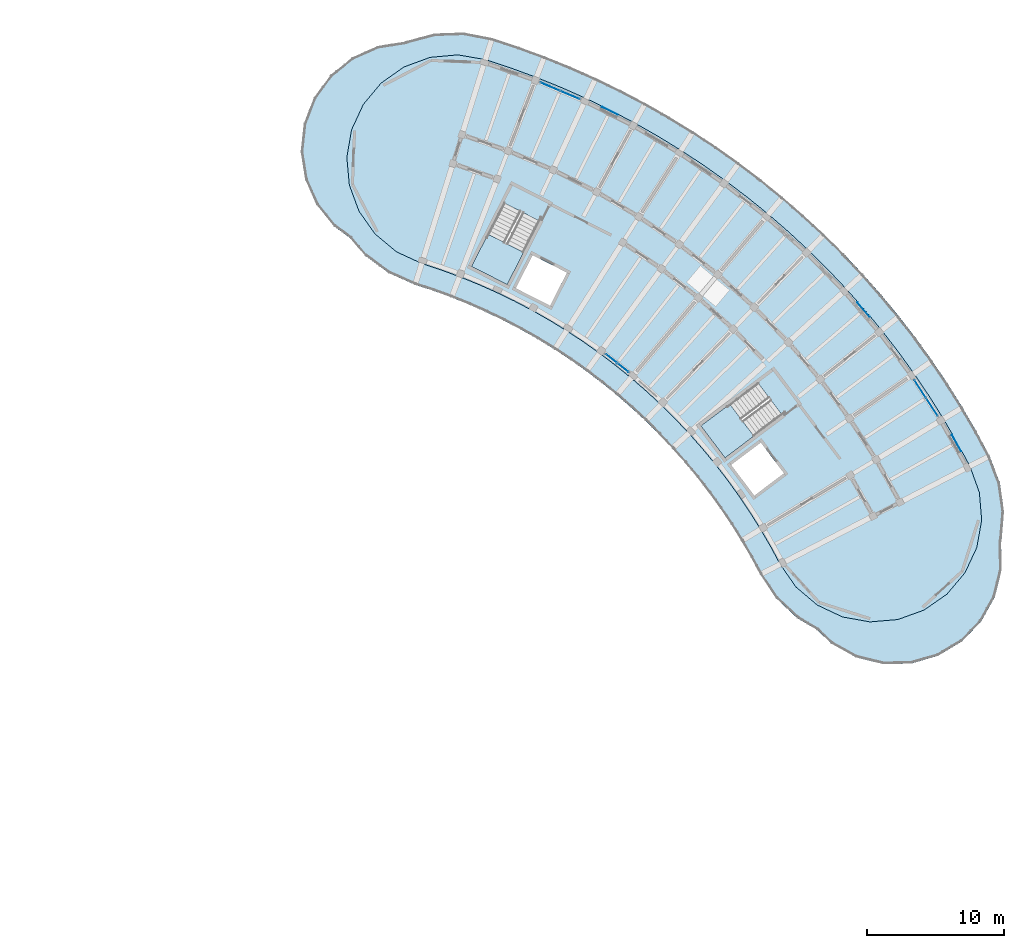
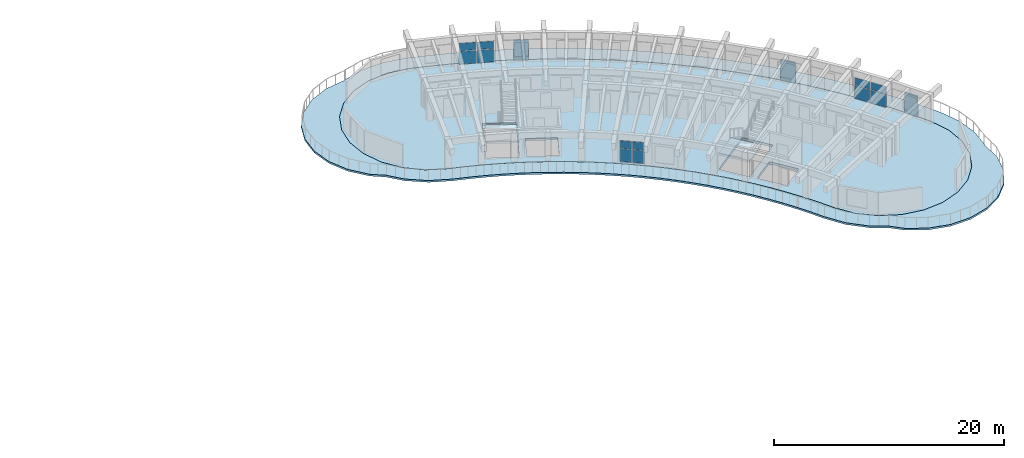
# One storey, part 17 of 36: 15 plates, 4 slabs, 5 elements without a shape of their own.
"""IFC4 building model written with IfcOpenShell, lengths in metres."""

from ifc_helpers import new_model, si_unit, direction, frame, origin, origin_2d, place, context, subcontext, project, spatial, polyline, rectangle, outline, extrude, material, layer, layer_set, type_object, element, aggregate, save


model = new_model("IFC4")

# Units and contexts
model_context = context("Model", 3, precision=1e-05, world=origin(), true_north=direction((0.0, 1.0)))
body_context = subcontext(model_context, "Body", "Model", "MODEL_VIEW")
ifc_project = project(units=[si_unit("LENGTHUNIT", "METRE"), si_unit("AREAUNIT", "SQUARE_METRE"), si_unit("VOLUMEUNIT", "CUBIC_METRE"), si_unit("PLANEANGLEUNIT", "RADIAN"), si_unit("MASSUNIT", "GRAM", prefix="KILO")], contexts=[model_context])

# Site, building, storey
site_placement = place(None, origin())
site = spatial("IfcSite", under=ifc_project, at=site_placement, CompositionType="ELEMENT")
building_placement = place(site_placement, origin())
building = spatial("IfcBuilding", under=site, at=building_placement, Name="Tanwirah Colonnade Gardens", CompositionType="ELEMENT")
storey_placement = place(building_placement, frame((0.0, 0.0, 39.080078125)))
storey = spatial("IfcBuildingStorey", under=building, at=storey_placement, Name="L11", CompositionType="ELEMENT", Elevation=39.080078125)

# Curtain wall, plates
ifc_material_1 = material(Name="Bronze-anodised aluminium and solar-control low-E glass", Category="aluminium")
curtain_wall_type_1 = type_object("IfcCurtainWallType", Name="CW-LOB", PredefinedType="NOTDEFINED", material=ifc_material_1)
curtain_wall_1_placement = place(storey_placement, origin())
curtain_wall_1 = element("IfcCurtainWall", 1, at=curtain_wall_1_placement, inside=storey, type_object=curtain_wall_type_1, Name="Curtain Wall CW-B-L11-OUT-04", PredefinedType="NOTDEFINED")
ifc_material_2 = material(Name="Solar-control low-E double glazing", Category="glass")
ifc_layer_1 = layer(ifc_material_2, 0.028076171875)
ifc_layer_set_1 = layer_set([ifc_layer_1], Name="Solar-control low-E double glazing")
plate_type_1 = type_object("IfcPlateType", Name="CWP-GLZ28", PredefinedType="CURTAIN_PANEL", material=ifc_layer_set_1)
plate_1_placement = place(storey_placement, frame((171.343994140625, 91.9560546875, 0.059814453125), z_axis=(0.0, 0.0, 1.0), x_axis=(-0.544640065704, 0.838669898607, 0.0)))
plate_1 = element("IfcPlate", 2, at=plate_1_placement, type_object=plate_type_1, Name="CW-LOB panel 1.1", PredefinedType="CURTAIN_PANEL", context=body_context, shape_type="SweptSolid", body=[
    extrude(rectangle(XDim=1.512939453125, YDim=0.028076171875, at=origin_2d()), origin(), (0.0, 0.0, 1.0), 1.3701171875),
])
plate_2_placement = place(storey_placement, frame((171.343994140625, 91.9560546875, 1.490234375), z_axis=(0.0, 0.0, 1.0), x_axis=(-0.544640065704, 0.838669898607, 0.0)))
plate_2 = element("IfcPlate", 3, at=plate_2_placement, type_object=plate_type_1, Name="CW-LOB panel 1.2", PredefinedType="CURTAIN_PANEL", context=body_context, shape_type="SweptSolid", body=[
    extrude(rectangle(XDim=1.512939453125, YDim=0.028076171875, at=origin_2d()), origin(), (0.0, 0.0, 1.0), 0.804931640625),
])
plate_3_placement = place(storey_placement, frame((170.4873046875, 93.275146484375, 0.059814453125), z_axis=(0.0, 0.0, 1.0), x_axis=(-0.544640065704, 0.838669898607, 0.0)))
plate_3 = element("IfcPlate", 4, at=plate_3_placement, type_object=plate_type_1, Name="CW-LOB panel 2.1", PredefinedType="CURTAIN_PANEL", context=body_context, shape_type="SweptSolid", body=[
    extrude(rectangle(XDim=1.512939453125, YDim=0.028076171875, at=origin_2d()), origin(), (0.0, 0.0, 1.0), 1.3701171875),
])
plate_4_placement = place(storey_placement, frame((170.4873046875, 93.275146484375, 1.490234375), z_axis=(0.0, 0.0, 1.0), x_axis=(-0.544640065704, 0.838669898607, 0.0)))
plate_4 = element("IfcPlate", 5, at=plate_4_placement, type_object=plate_type_1, Name="CW-LOB panel 2.2", PredefinedType="CURTAIN_PANEL", context=body_context, shape_type="SweptSolid", body=[
    extrude(rectangle(XDim=1.512939453125, YDim=0.028076171875, at=origin_2d()), origin(), (0.0, 0.0, 1.0), 0.804931640625),
])
aggregate(curtain_wall_1, [plate_1, plate_2, plate_3, plate_4])

curtain_wall_type_2 = type_object("IfcCurtainWallType", Name="CW-GDN", PredefinedType="NOTDEFINED", material=ifc_material_1)
curtain_wall_2_placement = place(storey_placement, origin())
curtain_wall_2 = element("IfcCurtainWall", 6, at=curtain_wall_2_placement, inside=storey, type_object=curtain_wall_type_2, Name="Curtain Wall CW-B-L11-IN-09", PredefinedType="NOTDEFINED")
plate_5_placement = place(storey_placement, frame((148.842041015625, 94.8232421875, 0.059814453125), z_axis=(0.0, 0.0, 1.0), x_axis=(-0.786815291166, 0.617188542982, 0.0)))
plate_5 = element("IfcPlate", 7, at=plate_5_placement, type_object=plate_type_1, Name="CW-GDN panel 1.1", PredefinedType="CURTAIN_PANEL", context=body_context, shape_type="SweptSolid", body=[
    extrude(rectangle(XDim=1.01513671875, YDim=0.028076171875, at=origin_2d()), origin(), (0.0, 0.0, 1.0), 1.3701171875),
])
plate_6_placement = place(storey_placement, frame((148.842041015625, 94.8232421875, 1.490234375), z_axis=(0.0, 0.0, 1.0), x_axis=(-0.786815291166, 0.617188542982, 0.0)))
plate_6 = element("IfcPlate", 8, at=plate_6_placement, type_object=plate_type_1, Name="CW-GDN panel 1.2", PredefinedType="CURTAIN_PANEL", context=body_context, shape_type="SweptSolid", body=[
    extrude(rectangle(XDim=1.01513671875, YDim=0.028076171875, at=origin_2d()), origin(), (0.0, 0.0, 1.0), 0.804931640625),
])
plate_7_placement = place(storey_placement, frame((147.99609375, 95.48681640625, 0.059814453125), z_axis=(0.0, 0.0, 1.0), x_axis=(-0.786815291166, 0.617188542982, 0.0)))
plate_7 = element("IfcPlate", 9, at=plate_7_placement, type_object=plate_type_1, Name="CW-GDN panel 2.1", PredefinedType="CURTAIN_PANEL", context=body_context, shape_type="SweptSolid", body=[
    extrude(rectangle(XDim=1.01513671875, YDim=0.028076171875, at=origin_2d()), origin(), (0.0, 0.0, 1.0), 1.3701171875),
])
plate_8_placement = place(storey_placement, frame((147.99609375, 95.48681640625, 1.490234375), z_axis=(0.0, 0.0, 1.0), x_axis=(-0.786815291166, 0.617188542982, 0.0)))
plate_8 = element("IfcPlate", 10, at=plate_8_placement, type_object=plate_type_1, Name="CW-GDN panel 2.2", PredefinedType="CURTAIN_PANEL", context=body_context, shape_type="SweptSolid", body=[
    extrude(rectangle(XDim=1.01513671875, YDim=0.028076171875, at=origin_2d()), origin(), (0.0, 0.0, 1.0), 0.804931640625),
])
aggregate(curtain_wall_2, [plate_5, plate_6, plate_7, plate_8])

curtain_wall_3_placement = place(storey_placement, origin())
curtain_wall_3 = element("IfcCurtainWall", 11, at=curtain_wall_3_placement, inside=storey, type_object=curtain_wall_type_1, Name="Curtain Wall CW-B-L11-OUT-13", PredefinedType="NOTDEFINED")
plate_9_placement = place(storey_placement, frame((144.979248046875, 114.678955078125, 0.059814453125), z_axis=(0.0, 0.0, 1.0), x_axis=(-0.920505499276, 0.390729607022, 0.0)))
plate_9 = element("IfcPlate", 12, at=plate_9_placement, type_object=plate_type_1, Name="CW-LOB panel 1.1", PredefinedType="CURTAIN_PANEL", context=body_context, shape_type="SweptSolid", body=[
    extrude(rectangle(XDim=1.512939453125, YDim=0.028076171875, at=origin_2d()), origin(), (0.0, 0.0, 1.0), 1.3701171875),
])
plate_10_placement = place(storey_placement, frame((144.979248046875, 114.678955078125, 1.490234375), z_axis=(0.0, 0.0, 1.0), x_axis=(-0.920505499276, 0.390729607022, 0.0)))
plate_10 = element("IfcPlate", 13, at=plate_10_placement, type_object=plate_type_1, Name="CW-LOB panel 1.2", PredefinedType="CURTAIN_PANEL", context=body_context, shape_type="SweptSolid", body=[
    extrude(rectangle(XDim=1.512939453125, YDim=0.028076171875, at=origin_2d()), origin(), (0.0, 0.0, 1.0), 0.804931640625),
])
plate_11_placement = place(storey_placement, frame((143.531494140625, 115.29345703125, 0.059814453125), z_axis=(0.0, 0.0, 1.0), x_axis=(-0.920505499276, 0.390729607022, 0.0)))
plate_11 = element("IfcPlate", 14, at=plate_11_placement, type_object=plate_type_1, Name="CW-LOB panel 2.1", PredefinedType="CURTAIN_PANEL", context=body_context, shape_type="SweptSolid", body=[
    extrude(rectangle(XDim=1.512939453125, YDim=0.028076171875, at=origin_2d()), origin(), (0.0, 0.0, 1.0), 1.3701171875),
])
plate_12_placement = place(storey_placement, frame((143.531494140625, 115.29345703125, 1.490234375), z_axis=(0.0, 0.0, 1.0), x_axis=(-0.920505499276, 0.390729607022, 0.0)))
plate_12 = element("IfcPlate", 15, at=plate_12_placement, type_object=plate_type_1, Name="CW-LOB panel 2.2", PredefinedType="CURTAIN_PANEL", context=body_context, shape_type="SweptSolid", body=[
    extrude(rectangle(XDim=1.512939453125, YDim=0.028076171875, at=origin_2d()), origin(), (0.0, 0.0, 1.0), 0.804931640625),
])
aggregate(curtain_wall_3, [plate_9, plate_10, plate_11, plate_12])

# Plates
ifc_material_3 = material(Name="Laser-cut bronze aluminium solar screen plate", Category="aluminium")
ifc_layer_2 = layer(ifc_material_3, 0.02001953125)
ifc_layer_set_2 = layer_set([ifc_layer_2], Name="Laser-cut bronze aluminium solar screen plate")
plate_type_2 = type_object("IfcPlateType", Name="PLT-SCR20", PredefinedType="SHEET", material=ifc_layer_set_2)
for number, where, z_axis, x_axis, name in (
    (16, (173.1376953125, 89.328125, 0.0), (0.0, 0.0, 1.0), (-0.488197617823, 0.872733112671, 0.0), "Perforated solar screen plate B-L11-03"),
    (17, (166.354736328125, 99.055419921875, 0.0), (0.0, 0.0, 1.0), (-0.650186820007, 0.759774373804, 0.0), "Perforated solar screen plate B-L11-06"),
):
    element("IfcPlate", number, at=place(storey_placement, frame(where, z_axis=z_axis, x_axis=x_axis)), inside=storey, type_object=plate_type_2, Name=name, PredefinedType="SHEET", context=body_context, shape_type="SweptSolid", body=[
        extrude(rectangle(XDim=1.35009765625, YDim=0.02001953125, at=origin_2d()), origin(), (0.0, 0.0, 1.0), 2.260009765625),
    ])
plate_13_placement = place(storey_placement, frame((147.8779296875, 113.53271484375, 0.0), z_axis=(0.0, 0.0, 1.0), x_axis=(-0.892760732923, 0.450531101868, 0.0)))
element("IfcPlate", 18, at=plate_13_placement, inside=storey, type_object=plate_type_2, Name="Perforated solar screen plate B-L11-12", PredefinedType="SHEET", context=body_context, shape_type="SweptSolid", body=[
    extrude(rectangle(XDim=1.280029296875, YDim=0.02001953125, at=origin_2d()), origin(), (0.0, 0.0, 1.0), 2.169921875),
])

# Slab
ifc_material_4 = material(Name="White architectural precast concrete C40/50", Category="concrete")
ifc_layer_3 = layer(ifc_material_4, 0.18994140625)
ifc_layer_set_3 = layer_set([ifc_layer_3], Name="White architectural precast concrete C40/50")
slab_type_1 = type_object("IfcSlabType", Name="SL-BAL-190", PredefinedType="FLOOR", material=ifc_layer_set_3)
slab_1_placement = place(storey_placement, frame((0.0, 0.0, -0.190185546875)))
element("IfcSlab", 19, at=slab_1_placement, inside=storey, type_object=slab_type_1, Name="Block B L11 Continuous White Balcony Ribbon", PredefinedType="FLOOR", context=body_context, shape_type="SweptSolid", body=[
    extrude(outline(polyline([(162.9912109375, 75.711181640625), (164.033447265625, 74.70654296875), (165.8154296875, 73.72119140625), (167.79150390625, 73.23046875), (169.827392578125, 73.26806640625), (171.7841796875, 73.8310546875), (173.528564453125, 74.881591796875), (174.941650390625, 76.34765625), (175.927001953125, 78.12939453125), (176.417724609375, 80.105712890625), (176.380126953125, 82.138916015625), (176.4140625, 82.24462890625), (176.590576171875, 84.34228515625), (176.2958984375, 86.426513671875), (175.544677734375, 88.392822265625), (174.585693359375, 90.17529296875), (173.568603515625, 91.92529296875), (172.494384765625, 93.640869140625), (171.3642578125, 95.320068359375), (170.17919921875, 96.9609375), (168.940673828125, 98.56201171875), (167.650146484375, 100.121337890625), (166.30908203125, 101.63720703125), (164.91845703125, 103.108154296875), (163.48046875, 104.532470703125), (161.99609375, 105.90869140625), (160.467041015625, 107.235107421875), (158.895263671875, 108.510498046875), (157.282470703125, 109.7333984375), (155.6298828125, 110.90234375), (153.93994140625, 112.01611328125), (152.214111328125, 113.07373046875), (150.454345703125, 114.073974609375), (148.66259765625, 115.015380859375), (146.8408203125, 115.8974609375), (144.990966796875, 116.718994140625), (143.114990234375, 117.47900390625), (141.21484375, 118.1767578125), (139.29296875, 118.811767578125), (137.22607421875, 119.2099609375), (135.122314453125, 119.13818359375), (133.087158203125, 118.60009765625), (132.98876953125, 118.548583984375), (130.980224609375, 118.232421875), (129.119140625, 117.406005859375), (127.535400390625, 116.1259765625), (126.3369140625, 114.47998046875), (125.60546875, 112.57958984375), (125.390625, 110.554931640625), (125.707275390625, 108.54345703125), (126.53369140625, 106.682373046875), (127.8134765625, 105.0986328125), (128.98388671875, 104.246826171875), (130.075927734375, 102.96923828125), (131.765380859375, 101.713623046875), (133.69189453125, 100.865478515625), (135.025390625, 100.425048828125), (136.343505859375, 99.94091796875), (137.645263671875, 99.41357421875), (138.9287109375, 98.843505859375), (140.192626953125, 98.231689453125), (141.435791015625, 97.578369140625), (142.65673828125, 96.884521484375), (143.85400390625, 96.150634765625), (145.026611328125, 95.3779296875), (146.173095703125, 94.566650390625), (147.292236328125, 93.71826171875), (148.3828125, 92.83349609375), (149.443603515625, 91.9130859375), (150.473388671875, 90.95849609375), (151.47119140625, 89.97021484375), (152.435791015625, 88.94970703125), (153.366455078125, 87.89794921875), (154.26171875, 86.81591796875), (155.12109375, 85.705078125), (155.943115234375, 84.566650390625), (156.727294921875, 83.401611328125), (157.47265625, 82.21142578125), (158.178466796875, 80.997314453125), (158.84375, 79.760498046875), (160.013427734375, 78.010498046875), (161.54345703125, 76.564697265625), (162.9912109375, 75.711181640625)]), holes=[polyline([(161.443115234375, 78.83740234375), (160.2822265625, 80.505615234375), (159.59228515625, 81.787841796875), (159.592041015625, 81.788330078125), (158.85986328125, 83.048095703125), (158.859619140625, 83.048828125), (158.086181640625, 84.28369140625), (158.0859375, 84.2841796875), (157.272216796875, 85.492919921875), (157.271728515625, 85.493408203125), (156.418701171875, 86.6748046875), (156.41845703125, 86.67529296875), (155.52685546875, 87.827880859375), (155.526611328125, 87.828369140625), (154.597412109375, 88.950927734375), (154.59716796875, 88.951416015625), (153.631591796875, 90.042724609375), (153.631103515625, 90.043212890625), (152.630126953125, 91.10205078125), (152.629638671875, 91.1025390625), (151.594482421875, 92.1279296875), (151.593994140625, 92.12841796875), (150.525390625, 93.118896484375), (150.52490234375, 93.119384765625), (149.42431640625, 94.07421875), (149.423828125, 94.07470703125), (148.292236328125, 94.99267578125), (148.291748046875, 94.9931640625), (147.130615234375, 95.87353515625), (147.130126953125, 95.873779296875), (145.940673828125, 96.71533203125), (145.940185546875, 96.7158203125), (144.723388671875, 97.517578125), (144.722900390625, 97.51806640625), (143.48046875, 98.279296875), (143.47998046875, 98.279541015625), (142.213134765625, 98.99951171875), (142.212646484375, 99.0), (140.9228515625, 99.677734375), (140.922119140625, 99.677978515625), (139.61083984375, 100.31298828125), (139.610107421875, 100.313232421875), (138.2783203125, 100.904541015625), (138.27783203125, 100.90478515625), (136.92724609375, 101.451904296875), (136.9267578125, 101.4521484375), (135.55908203125, 101.95458984375), (135.558349609375, 101.954833984375), (134.17578125, 102.411376953125), (132.331298828125, 103.264892578125), (130.771728515625, 104.56591796875), (129.60205078125, 106.22607421875), (128.90185546875, 108.132568359375), (128.718994140625, 110.1552734375), (129.06591796875, 112.156494140625), (129.918701171875, 113.99951171875), (131.2197265625, 115.55908203125), (132.8798828125, 116.728759765625), (134.786376953125, 117.428955078125), (136.80908203125, 117.61181640625), (138.811279296875, 117.264892578125), (140.681640625, 116.647216796875), (142.531494140625, 115.9677734375), (144.35791015625, 115.227783203125), (146.158935546875, 114.427978515625), (147.932861328125, 113.5693359375), (149.67724609375, 112.652587890625), (151.390625, 111.6787109375), (153.07080078125, 110.649169921875), (154.71630859375, 109.564453125), (156.3251953125, 108.42626953125), (157.8955078125, 107.23583984375), (159.42578125, 105.994140625), (160.914306640625, 104.70263671875), (162.359619140625, 103.36279296875), (163.759765625, 101.97607421875), (165.113525390625, 100.5439453125), (166.41943359375, 99.068115234375), (167.67578125, 97.5498046875), (168.881591796875, 95.990966796875), (170.035400390625, 94.393310546875), (171.1357421875, 92.758544921875), (172.181640625, 91.08837890625), (173.171875, 89.384521484375), (174.10498046875, 87.64990234375), (174.79443359375, 85.738525390625), (174.965576171875, 83.714599609375), (174.607177734375, 81.715576171875), (173.743408203125, 79.87744140625), (172.43359375, 78.325439453125), (170.766357421875, 77.16552734375), (168.85595703125, 76.476318359375), (166.832275390625, 76.30517578125), (164.833251953125, 76.663818359375), (162.9951171875, 77.52734375), (161.443115234375, 78.83740234375)])]), origin(), (0.0, 0.0, 1.0), 0.190185546875),
])

# Stair, slab
ifc_material_5 = material(Name="Precast concrete C40/50", Category="concrete")
stair_type = type_object("IfcStairType", Name="ST-RES168", PredefinedType="HALF_TURN_STAIR", material=ifc_material_5)
stair_1_placement = place(storey_placement, origin())
stair_1 = element("IfcStair", 20, at=stair_1_placement, inside=storey, type_object=stair_type, Name="L11 Block B Core 1 Exit Stair", PredefinedType="HALF_TURN_STAIR")
ifc_layer_4 = layer(ifc_material_5, 0.205078125)
ifc_layer_set_4 = layer_set([ifc_layer_4], Name="Precast concrete C40/50")
slab_type_2 = type_object("IfcSlabType", Name="SL-LND-205", PredefinedType="LANDING", material=ifc_layer_set_4)
slab_2_placement = place(storey_placement, frame((0.0, 0.0, 1.474853515625)))
slab_2 = element("IfcSlab", 21, at=slab_2_placement, type_object=slab_type_2, Name="ST-B1 landing 1", PredefinedType="LANDING", context=body_context, shape_type="SweptSolid", body=[
    extrude(outline(polyline([(156.615478515625, 92.171875), (154.510986328125, 90.586181640625), (156.268310546875, 88.254150390625), (158.372802734375, 89.83984375), (156.615478515625, 92.171875)])), origin(), (0.0, 0.0, 1.0), 0.205078125),
])
aggregate(stair_1, [slab_2])

stair_2_placement = place(storey_placement, origin())
stair_2 = element("IfcStair", 22, at=stair_2_placement, inside=storey, type_object=stair_type, Name="L11 Block B Core 2 Exit Stair", PredefinedType="HALF_TURN_STAIR")
slab_3_placement = place(storey_placement, frame((0.0, 0.0, 1.474853515625)))
slab_3 = element("IfcSlab", 23, at=slab_3_placement, type_object=slab_type_2, Name="ST-B2 landing 1", PredefinedType="LANDING", context=body_context, shape_type="SweptSolid", body=[
    extrude(outline(polyline([(138.995361328125, 104.549072265625), (137.799072265625, 102.201171875), (140.40087890625, 100.87548828125), (141.59716796875, 103.223388671875), (138.995361328125, 104.549072265625)])), origin(), (0.0, 0.0, 1.0), 0.205078125),
])
aggregate(stair_2, [slab_3])

# Slab
ifc_layer_5 = layer(ifc_material_5, 0.2451171875)
ifc_layer_set_5 = layer_set([ifc_layer_5], Name="Precast concrete C40/50")
slab_type_3 = type_object("IfcSlabType", Name="SL-RES-245", PredefinedType="FLOOR", material=ifc_layer_set_5)
slab_4_placement = place(storey_placement, frame((0.0, 0.0, -0.2451171875)))
element("IfcSlab", 24, at=slab_4_placement, inside=storey, type_object=slab_type_3, Name="Block B L11 Precast Composite Floor Slab", PredefinedType="FLOOR", context=body_context, shape_type="SweptSolid", body=[
    extrude(outline(polyline([(158.842529296875, 83.0380859375), (159.57470703125, 81.7783203125), (160.26513671875, 80.4951171875), (161.42822265625, 78.82373046875), (162.984130859375, 77.510498046875), (164.8271484375, 76.64453125), (166.831298828125, 76.28515625), (168.8603515625, 76.456787109375), (170.775634765625, 77.1474609375), (172.447021484375, 78.310546875), (173.760498046875, 79.86669921875), (174.62646484375, 81.70947265625), (174.98583984375, 83.7138671875), (174.814208984375, 85.74267578125), (174.123291015625, 87.658203125), (173.189453125, 89.394287109375), (172.19873046875, 91.0986328125), (171.152587890625, 92.76953125), (170.0517578125, 94.40478515625), (168.897705078125, 96.0029296875), (167.69140625, 97.562255859375), (166.4345703125, 99.0810546875), (165.12841796875, 100.5576171875), (163.774169921875, 101.990234375), (162.37353515625, 103.377197265625), (160.927734375, 104.717529296875), (159.438720703125, 106.009521484375), (157.907958984375, 107.25146484375), (156.3369140625, 108.442626953125), (154.7275390625, 109.5810546875), (153.08154296875, 110.666015625), (151.400634765625, 111.696044921875), (149.686767578125, 112.669921875), (147.94189453125, 113.587158203125), (146.16748046875, 114.446044921875), (144.36572265625, 115.24609375), (142.53857421875, 115.986328125), (140.688232421875, 116.666015625), (138.816162109375, 117.284423828125), (136.809814453125, 117.632080078125), (134.781982421875, 117.44873046875), (132.87060546875, 116.746826171875), (131.2060546875, 115.573974609375), (129.90185546875, 114.01025390625), (129.046630859375, 112.162353515625), (128.69873046875, 110.156005859375), (128.88232421875, 108.128173828125), (129.584228515625, 106.216796875), (130.757080078125, 104.55224609375), (132.320556640625, 103.248046875), (134.16845703125, 102.392822265625), (135.552001953125, 101.935791015625), (136.919921875, 101.433349609375), (138.270263671875, 100.88623046875), (139.60205078125, 100.294921875), (140.91357421875, 99.659912109375), (142.203369140625, 98.982177734375), (143.47021484375, 98.26220703125), (144.71240234375, 97.5009765625), (145.92919921875, 96.698974609375), (147.11865234375, 95.857421875), (148.27978515625, 94.977294921875), (149.4111328125, 94.05908203125), (150.51171875, 93.104248046875), (151.580322265625, 92.11376953125), (152.61572265625, 91.08837890625), (153.61669921875, 90.029541015625), (154.58203125, 88.938232421875), (155.510986328125, 87.815673828125), (156.402587890625, 86.6630859375), (157.255615234375, 85.48193359375), (158.0693359375, 84.27294921875), (158.842529296875, 83.0380859375)]), holes=[polyline([(160.4169921875, 91.38427734375), (156.2666015625, 88.256591796875), (154.512939453125, 90.583740234375), (158.663330078125, 93.71142578125), (160.4169921875, 91.38427734375)]), polyline([(158.402587890625, 85.5048828125), (156.717529296875, 87.7412109375), (158.873779296875, 89.365966796875), (160.558837890625, 87.1298828125), (158.402587890625, 85.5048828125)]), polyline([(137.8017578125, 102.199951171875), (140.1611328125, 106.830322265625), (142.757568359375, 105.507568359375), (140.398193359375, 100.876953125), (137.8017578125, 102.199951171875)]), polyline([(142.255126953125, 103.01708984375), (144.75, 101.745849609375), (143.524169921875, 99.34033203125), (141.029541015625, 100.611328125), (142.255126953125, 103.01708984375)])]), origin(), (0.0, 0.0, 1.0), 0.2451171875),
])

save(model, "model.ifc")
